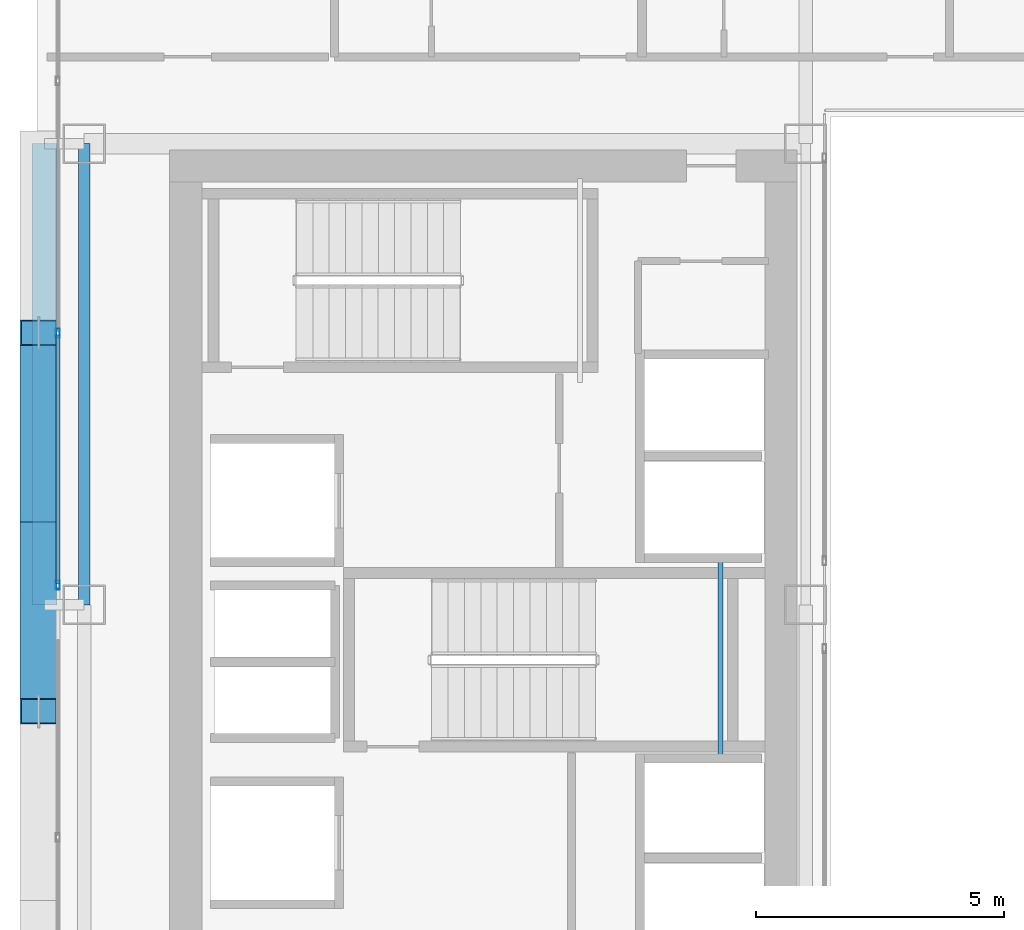
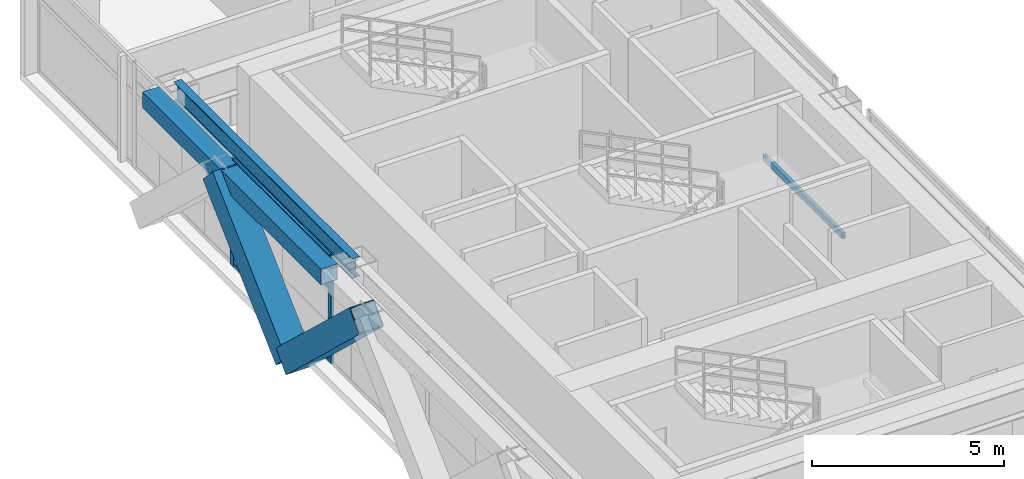
# One storey, part 9 of 39: 7 members, 3 beams, 1 element without a shape of its own.
"""IFC4 building model written with IfcOpenShell, lengths in metres."""

from ifc_helpers import new_model, si_unit, direction, frame, origin, origin_2d, place, context, subcontext, project, spatial, hollow_rectangle, i_section, extrude, source, transform, mapped, material, layer, layer_set, material_profile, profile_set, type_object, element, aggregate, save


model = new_model("IFC4")

# Units and contexts
model_context = context("Model", 3, precision=1e-05, world=origin(), true_north=direction((0.0, 1.0)))
body_context = subcontext(model_context, "Body", "Model", "MODEL_VIEW")
ifc_project = project(units=[si_unit("LENGTHUNIT", "METRE"), si_unit("AREAUNIT", "SQUARE_METRE"), si_unit("VOLUMEUNIT", "CUBIC_METRE"), si_unit("PLANEANGLEUNIT", "RADIAN"), si_unit("MASSUNIT", "GRAM", prefix="KILO")], contexts=[model_context])

# Site, building, storey
site_placement = place(None, origin())
site = spatial("IfcSite", under=ifc_project, at=site_placement, CompositionType="ELEMENT")
building_placement = place(site_placement, origin())
building = spatial("IfcBuilding", under=site, at=building_placement, Name="Ocotamira Hotel", CompositionType="ELEMENT")
storey_placement = place(building_placement, frame((0.0, 0.0, 126.0)))
storey = spatial("IfcBuildingStorey", under=building, at=storey_placement, Name="L31", CompositionType="ELEMENT", Elevation=126.0)

# Beams
ifc_material_1 = material(Name="Steel ASTM A500 Grade C", Category="steel")
ifc_material_profile_1 = material_profile(ifc_material_1, hollow_rectangle(XDim=0.10009765625, YDim=0.199951171875, WallThickness=0.008056640625, at=origin_2d()), Name="HSS200X100X8")
ifc_profile_set_1 = profile_set([ifc_material_profile_1], Name="Steel ASTM A500 Grade C")
beam_type_1 = type_object("IfcBeamType", Name="BM-STLDG-HSS200", PredefinedType="BEAM", material=ifc_profile_set_1)
shared_shape_1 = source(origin(), body_context, "Body", "SweptSolid", [
    extrude(hollow_rectangle(XDim=0.10009765625, YDim=0.199951171875, WallThickness=0.008056640625, at=origin_2d()), origin(), (0.0, 0.0, 1.0), 4.1201171875),
])
beam_1_placement = place(storey_placement, frame((21.780029296875, 24.97998046875, 1.5), z_axis=(0.0, 1.0, 0.0), x_axis=(-1.0, 0.0, 0.0)))
element("IfcBeam", 1, at=beam_1_placement, inside=storey, type_object=beam_type_1, Name="L31 Stair ST-3 Landing Bearer 1", PredefinedType="BEAM", context=body_context, shape_type="MappedRepresentation", body=[
    mapped(shared_shape_1, transform((0.0, 0.0, 0.0), scale=1.0)),
])
ifc_material_2 = material(Name="Steel ASTM A992 Grade 50", Category="steel")
ifc_material_profile_2 = material_profile(ifc_material_2, i_section(OverallWidth=0.22998046875, OverallDepth=0.616943359375, WebThickness=0.01318359375, FlangeThickness=0.022216796875, FilletRadius=0.012939453125, at=origin_2d()), Name="W24X94")
ifc_profile_set_2 = profile_set([ifc_material_profile_2], Name="Steel ASTM A992 Grade 50")
beam_type_2 = type_object("IfcBeamType", Name="BM-PRIM-W24X94", PredefinedType="BEAM", material=ifc_profile_set_2)
shared_shape_2 = source(origin(), body_context, "Body", "SweptSolid", [
    extrude(i_section(OverallWidth=0.22998046875, OverallDepth=0.616943359375, WebThickness=0.01318359375, FlangeThickness=0.022216796875, FilletRadius=0.012939453125, at=origin_2d()), origin(), (0.0, 0.0, 1.0), 9.300048828125),
])
beam_2_placement = place(storey_placement, frame((8.949951171875, 28.14990234375, 3.051513671875), z_axis=(0.0, 1.0, 0.0), x_axis=(-1.0, 0.0, 0.0)))
element("IfcBeam", 2, at=beam_2_placement, inside=storey, type_object=beam_type_2, Name="L31 Beam X8.95 Y28.15-37.45", PredefinedType="BEAM", context=body_context, shape_type="MappedRepresentation", body=[
    mapped(shared_shape_2, transform((0.0, 0.0, 0.0), scale=1.0)),
])
ifc_material_profile_3 = material_profile(ifc_material_1, hollow_rectangle(XDim=0.5, YDim=0.5, WallThickness=0.02001953125, at=origin_2d()), Name="HSS500X500X20")
ifc_profile_set_3 = profile_set([ifc_material_profile_3], Name="Steel ASTM A500 Grade C")
beam_type_3 = type_object("IfcBeamType", Name="BM-SPAN-HSS500", PredefinedType="USERDEFINED", material=ifc_profile_set_3)
shared_shape_3 = source(origin(), body_context, "Body", "SweptSolid", [
    extrude(hollow_rectangle(XDim=0.5, YDim=0.5, WallThickness=0.02001953125, at=origin_2d()), origin(), (0.0, 0.0, 1.0), 9.300048828125),
])
beam_3_placement = place(storey_placement, frame((8.14990234375, 28.14990234375, 3.110107421875), z_axis=(0.0, 1.0, 0.0), x_axis=(-1.0, 0.0, 0.0)))
element("IfcBeam", 3, at=beam_3_placement, inside=storey, type_object=beam_type_3, Name="L31 Edge Spandrel W Y28.15-37.45", ObjectType="SPANDREL", PredefinedType="USERDEFINED", context=body_context, shape_type="MappedRepresentation", body=[
    mapped(shared_shape_3, transform((0.0, 0.0, 0.0), scale=1.0)),
])

# Members
ifc_material_3 = material(Name="Pale-metal coated steel ASTM A913 Grade 65", Category="steel")
ifc_material_profile_4 = material_profile(ifc_material_3, hollow_rectangle(XDim=0.75, YDim=0.75, WallThickness=0.028076171875, at=origin_2d()), Name="BOX750X750X28")
ifc_profile_set_4 = profile_set([ifc_material_profile_4], Name="Pale-metal coated steel ASTM A913 Grade 65")
member_type_1 = type_object("IfcMemberType", Name="MEM-EXO-BOX750", PredefinedType="BRACE", material=ifc_profile_set_4)
shared_shape_4 = source(origin(), body_context, "Body", "SweptSolid", [
    extrude(hollow_rectangle(XDim=0.75, YDim=0.75, WallThickness=0.028076171875, at=origin_2d()), origin(), (0.0, 0.0, 1.0), 5.24658203125),
])
for number, where, z_axis, x_axis, name in (
    (4, (8.030029296875, 29.816650390625, -0.489990234375), (0.0, -0.727442733726, 0.686168397078), (1.0, 0.0, 0.0), "L31 Exoskeleton Diagrid W1.2"),
    (5, (8.030029296875, 29.816650390625, -0.489990234375), (0.0, 0.727442733726, 0.686168397078), (-1.0, 0.0, 0.0), "L31 Exoskeleton Diagrid W2.1"),
):
    element("IfcMember", number, at=place(storey_placement, frame(where, z_axis=z_axis, x_axis=x_axis)), inside=storey, type_object=member_type_1, Name=name, PredefinedType="BRACE", context=body_context, shape_type="MappedRepresentation", body=[
        mapped(shared_shape_4, transform((0.0, 0.0, 0.0), scale=1.0)),
    ])

# Curtain wall, members
ifc_material_4 = material(Name="Anodised pale-metal aluminium and solar glass", Category="aluminium")
ifc_layer = layer(ifc_material_4, 0.179931640625)
ifc_layer_set = layer_set([ifc_layer], Name="Anodised pale-metal aluminium and solar glass")
curtain_wall_type = type_object("IfcCurtainWallType", Name="CW-SYS3-Z2", PredefinedType="NOTDEFINED", material=ifc_layer_set)
curtain_wall_placement = place(storey_placement, origin())
curtain_wall = element("IfcCurtainWall", 6, at=curtain_wall_placement, inside=storey, type_object=curtain_wall_type, Name="L31 Curtain Wall CW-3 CW-L31-W", PredefinedType="NOTDEFINED")
ifc_material_5 = material(Name="Anodised pale-metal aluminium 6063-T6", Category="aluminium")
ifc_material_profile_5 = material_profile(ifc_material_5, hollow_rectangle(XDim=0.074951171875, YDim=0.14990234375, WallThickness=0.006103515625, at=origin_2d()), Name="HSS150X75X6")
ifc_profile_set_5 = profile_set([ifc_material_profile_5], Name="Anodised pale-metal aluminium 6063-T6")
member_type_2 = type_object("IfcMemberType", Name="CWT-150X75", PredefinedType="USERDEFINED", material=ifc_profile_set_5)
shared_shape_5 = source(origin(), body_context, "Body", "SweptSolid", [
    extrude(hollow_rectangle(XDim=0.074951171875, YDim=0.14990234375, WallThickness=0.006103515625, at=origin_2d()), origin(), (0.0, 0.0, 1.0), 5.005859375),
])
member_1_placement = place(storey_placement, frame((8.419921875, 28.582763671875, 0.03759765625), z_axis=(0.0, 1.0, 0.0), x_axis=(-1.0, 0.0, 0.0)))
member_1 = element("IfcMember", 7, at=member_1_placement, type_object=member_type_2, Name="CW-3 transom 5.1", ObjectType="TRANSOM", PredefinedType="USERDEFINED", context=body_context, shape_type="MappedRepresentation", body=[
    mapped(shared_shape_5, transform((0.0, 0.0, 0.0), scale=1.0)),
])
member_2_placement = place(storey_placement, frame((8.419921875, 28.582763671875, 2.35009765625), z_axis=(0.0, 1.0, 0.0), x_axis=(-1.0, 0.0, 0.0)))
member_2 = element("IfcMember", 8, at=member_2_placement, type_object=member_type_2, Name="CW-3 transom 5.2", ObjectType="TRANSOM", PredefinedType="USERDEFINED", context=body_context, shape_type="MappedRepresentation", body=[
    mapped(shared_shape_5, transform((0.0, 0.0, 0.0), scale=1.0)),
])
member_3_placement = place(storey_placement, frame((8.419921875, 28.582763671875, 3.322509765625), z_axis=(0.0, 1.0, 0.0), x_axis=(-1.0, 0.0, 0.0)))
member_3 = element("IfcMember", 9, at=member_3_placement, type_object=member_type_2, Name="CW-3 transom 5.3", ObjectType="TRANSOM", PredefinedType="USERDEFINED", context=body_context, shape_type="MappedRepresentation", body=[
    mapped(shared_shape_5, transform((0.0, 0.0, 0.0), scale=1.0)),
])
ifc_material_profile_6 = material_profile(ifc_material_5, hollow_rectangle(XDim=0.080078125, YDim=0.179931640625, WallThickness=0.006103515625, at=origin_2d()), Name="HSS180X80X6")
ifc_profile_set_6 = profile_set([ifc_material_profile_6], Name="Anodised pale-metal aluminium 6063-T6")
member_type_3 = type_object("IfcMemberType", Name="CWM-180X75", PredefinedType="MULLION", material=ifc_profile_set_6)
shared_shape_6 = source(origin(), body_context, "Body", "SweptSolid", [
    extrude(hollow_rectangle(XDim=0.080078125, YDim=0.179931640625, WallThickness=0.006103515625, at=origin_2d()), origin(), (0.0, 0.0, 1.0), 3.360107421875),
])
member_4_placement = place(storey_placement, frame((8.419921875, 28.54296875, 0.0), z_axis=(0.0, 0.0, 1.0), x_axis=(-1.0, 0.0, 0.0)))
member_4 = element("IfcMember", 10, at=member_4_placement, type_object=member_type_3, Name="CW-3 mullion 5", PredefinedType="MULLION", context=body_context, shape_type="MappedRepresentation", body=[
    mapped(shared_shape_6, transform((0.0, 0.0, 0.0), scale=1.0)),
])
member_5_placement = place(storey_placement, frame((8.419921875, 33.628662109375, 0.0), z_axis=(0.0, 0.0, 1.0), x_axis=(-1.0, 0.0, 0.0)))
member_5 = element("IfcMember", 11, at=member_5_placement, type_object=member_type_3, Name="CW-3 mullion 6", PredefinedType="MULLION", context=body_context, shape_type="MappedRepresentation", body=[
    mapped(shared_shape_6, transform((0.0, 0.0, 0.0), scale=1.0)),
])
aggregate(curtain_wall, [member_4, member_5, member_1, member_2, member_3])

save(model, "model.ifc")
